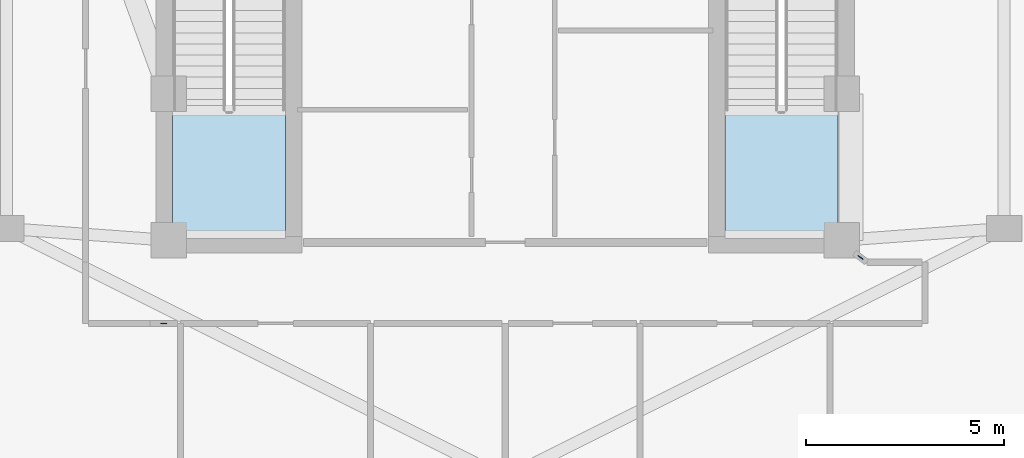
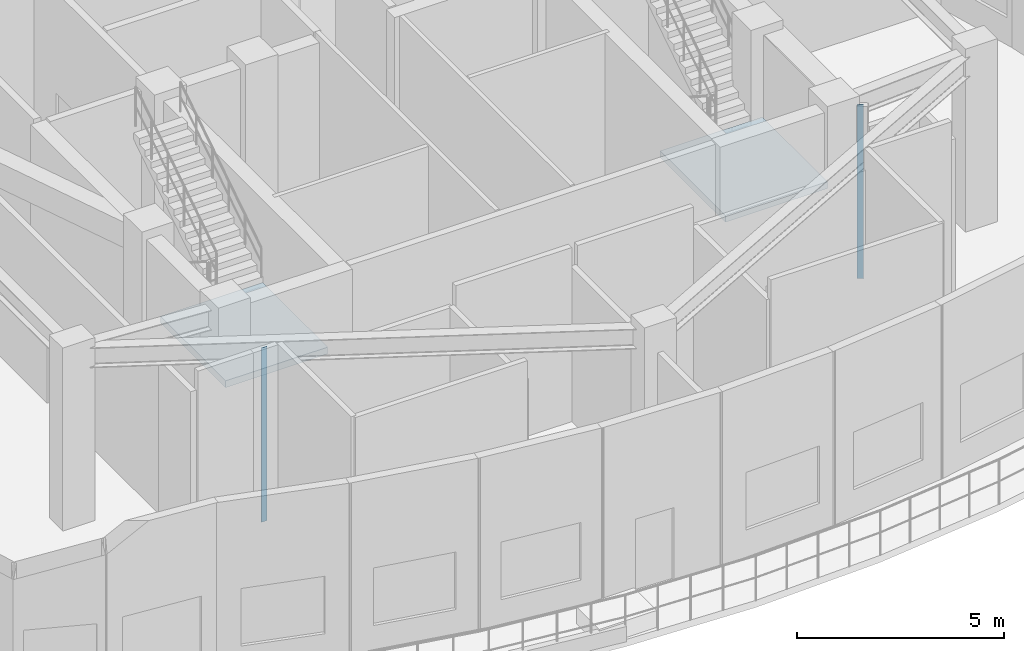
# One storey, part 2 of 11: 2 plates, 2 slabs, 2 elements without a shape of their own.
"""IFC4 building model written with IfcOpenShell, lengths in metres."""

from ifc_helpers import new_model, si_unit, direction, frame, origin, origin_2d, place, context, subcontext, project, spatial, polyline, rectangle, outline, extrude, material, layer, layer_set, type_object, element, aggregate, save


model = new_model("IFC4")

# Units and contexts
model_context = context("Model", 3, precision=1e-05, world=origin(), true_north=direction((0.0, 1.0)))
body_context = subcontext(model_context, "Body", "Model", "MODEL_VIEW")
ifc_project = project(units=[si_unit("LENGTHUNIT", "METRE"), si_unit("AREAUNIT", "SQUARE_METRE"), si_unit("VOLUMEUNIT", "CUBIC_METRE"), si_unit("PLANEANGLEUNIT", "RADIAN"), si_unit("MASSUNIT", "GRAM", prefix="KILO")], contexts=[model_context])

# Site, building, storey
site_placement = place(None, origin())
site = spatial("IfcSite", under=ifc_project, at=site_placement, CompositionType="ELEMENT")
building_placement = place(site_placement, origin())
building = spatial("IfcBuilding", under=site, at=building_placement, Name="Miruveldt Soraemaru", CompositionType="ELEMENT")
storey_placement = place(building_placement, frame((0.0, 0.0, 295.39990234375)))
storey = spatial("IfcBuildingStorey", under=building, at=storey_placement, Name="L79", CompositionType="ELEMENT", Elevation=295.39990234375)

# Plates
ifc_material_1 = material(Name="Anodised aluminium EN AW-6063 T6", Category="aluminium")
ifc_layer_1 = layer(ifc_material_1, 0.02001953125, Name="Anodised aluminium EN AW-6063 T6", Category="aluminium")
ifc_layer_set_1 = layer_set([ifc_layer_1], Name="Anodised aluminium EN AW-6063 T6")
plate_type = type_object("IfcPlateType", Name="PLT-PART-TRIM", PredefinedType="SHEET", material=ifc_layer_set_1)
for number, where, z_axis, x_axis, name in (
    (1, (35.375, 33.39990234375, 0.0), (0.0, 0.0, 1.0), (1.0, 0.0, 0.0), "L79 Partition Step Corner Trim Plate 006"),
    (2, (52.97509765625, 35.06494140625, 0.0), (0.0, 0.0, 1.0), (-0.803129547743, 0.595804439009, 0.0), "L79 Partition Step Corner Trim Plate 001"),
):
    element("IfcPlate", number, at=place(storey_placement, frame(where, z_axis=z_axis, x_axis=x_axis)), inside=storey, type_object=plate_type, Name=name, PredefinedType="SHEET", context=body_context, shape_type="SweptSolid", body=[
        extrude(rectangle(XDim=0.159912109375, YDim=0.02001953125, at=origin_2d()), origin(), (0.0, 0.0, 1.0), 5.139892578125),
    ])

# Stair, slab
ifc_material_2 = material(Name="Concrete C40/50 (40 MPa)", Category="concrete")
stair_type = type_object("IfcStairType", Name="STAIR-DL-540", PredefinedType="HALF_TURN_STAIR", material=ifc_material_2)
stair_1_placement = place(storey_placement, origin())
stair_1 = element("IfcStair", 3, at=stair_1_placement, inside=storey, type_object=stair_type, Name="L79 Protected Exit Stair ST-1", PredefinedType="HALF_TURN_STAIR")
ifc_layer_2 = layer(ifc_material_2, 0.199951171875, Name="Concrete C40/50 (40 MPa)", Category="concrete")
ifc_layer_set_2 = layer_set([ifc_layer_2], Name="Concrete C40/50 (40 MPa)")
slab_type = type_object("IfcSlabType", Name="SLAB-LAND-200", PredefinedType="LANDING", material=ifc_layer_set_2)
slab_1_placement = place(storey_placement, frame((0.0, 0.0, 2.5)))
slab_1 = element("IfcSlab", 4, at=slab_1_placement, type_object=slab_type, Name="ST-1 landing 1", PredefinedType="LANDING", context=body_context, shape_type="SweptSolid", body=[
    extrude(outline(polyline([(35.60009765625, 38.798095703125), (35.60009765625, 35.64990234375), (38.449951171875, 35.64990234375), (38.449951171875, 38.798095703125), (35.60009765625, 38.798095703125)])), origin(), (0.0, 0.0, 1.0), 0.2001953125),
])
aggregate(stair_1, [slab_1])

stair_2_placement = place(storey_placement, origin())
stair_2 = element("IfcStair", 5, at=stair_2_placement, inside=storey, type_object=stair_type, Name="L79 Protected Exit Stair ST-2", PredefinedType="HALF_TURN_STAIR")
slab_2_placement = place(storey_placement, frame((0.0, 0.0, 2.5)))
slab_2 = element("IfcSlab", 6, at=slab_2_placement, type_object=slab_type, Name="ST-2 landing 1", PredefinedType="LANDING", context=body_context, shape_type="SweptSolid", body=[
    extrude(outline(polyline([(49.550048828125, 38.798095703125), (49.550048828125, 35.64990234375), (52.39990234375, 35.64990234375), (52.39990234375, 38.798095703125), (49.550048828125, 38.798095703125)])), origin(), (0.0, 0.0, 1.0), 0.2001953125),
])
aggregate(stair_2, [slab_2])

save(model, "model.ifc")
